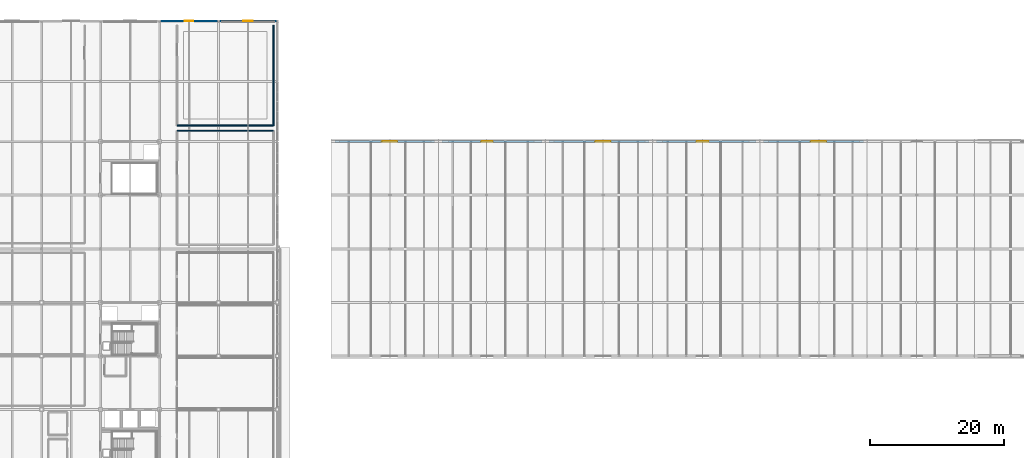
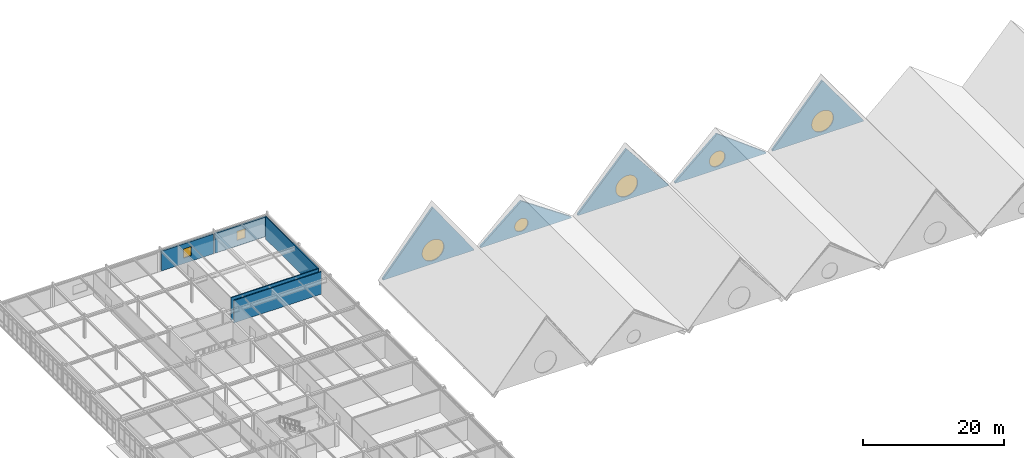
# One storey, part 57 of 64: 10 walls, 7 windows, 7 openings.
"""IFC4 building model written with IfcOpenShell, lengths in metres."""

from ifc_helpers import new_model, si_unit, direction, frame, frame_2d, origin, place, context, subcontext, project, spatial, polyline, rectangle, outline, extrude, material, layer, layer_set, type_object, element, fill, save


model = new_model("IFC4")

# Units and contexts
model_context = context("Model", 3, precision=1e-05, world=origin(), true_north=direction((0.0, 1.0)))
body_context = subcontext(model_context, "Body", "Model", "MODEL_VIEW")
ifc_project = project(units=[si_unit("LENGTHUNIT", "METRE"), si_unit("AREAUNIT", "SQUARE_METRE"), si_unit("VOLUMEUNIT", "CUBIC_METRE"), si_unit("PLANEANGLEUNIT", "RADIAN"), si_unit("MASSUNIT", "GRAM", prefix="KILO")], contexts=[model_context])

# Site, building, storey
site_placement = place(None, origin())
site = spatial("IfcSite", under=ifc_project, at=site_placement, CompositionType="ELEMENT")
building_placement = place(site_placement, origin())
building = spatial("IfcBuilding", under=site, at=building_placement, Name="Zhaolan Boulevard Law Courts", CompositionType="ELEMENT")
storey_placement = place(building_placement, frame((0.0, 0.0, 20.39990234375)))
storey = spatial("IfcBuildingStorey", under=building, at=storey_placement, Name="L04", CompositionType="ELEMENT", Elevation=20.39990234375)

# Wall, opening, window
ifc_material_1 = material(Name="Concrete C40", Category="concrete")
ifc_layer_1 = layer(ifc_material_1, 0.280029296875)
ifc_layer_set_1 = layer_set([ifc_layer_1])
wall_type_1 = type_object("IfcWallType", Name="EXT WALL CONCRETE280", PredefinedType="SOLIDWALL", material=ifc_layer_set_1)
wall_1_placement = place(storey_placement, frame((35.053955078125, 112.0, 0.0), z_axis=(0.0, 0.0, 1.0), x_axis=(-1.0, 0.0, 0.0)))
wall_1 = element("IfcWall", 1, at=wall_1_placement, inside=storey, type_object=wall_type_1, Name="Exterior Wall EW-L04-363", PredefinedType="SOLIDWALL", context=body_context, shape_type="SweptSolid", body=[
    extrude(rectangle(XDim=8.508056640625, YDim=0.280029296875, at=frame_2d((4.25390625, 0.0))), origin(), (0.0, 0.0, 1.0), 3.423095703125),
])
opening_1_placement = place(wall_1_placement, frame((3.62890625, 0.0, 0.949951171875)))
opening_1 = element("IfcOpeningElement", 2, at=opening_1_placement, cuts=wall_1, Name="Opening WIN-L04-216", PredefinedType="OPENING", context=body_context, shape_type="SweptSolid", body=[
    extrude(rectangle(XDim=1.25, YDim=1.60009765625, at=frame_2d((0.625, 0.800048828125))), frame((0.0, 0.14990234375, 0.0), z_axis=(0.0, -1.0, 0.0), x_axis=(1.0, 0.0, 0.0)), (0.0, 0.0, 1.0), 0.300048828125),
])
ifc_material_2 = material(Name="Thermally broken aluminium and low-E glazing", Category="aluminium")
window_type_1 = type_object("IfcWindowType", Name="WINDOW 1250X1600", PartitioningType="SINGLE_PANEL", PredefinedType="WINDOW", material=ifc_material_2)
window_1_placement = place(opening_1_placement, origin())
window_1 = element("IfcWindow", 3, at=window_1_placement, inside=storey, type_object=window_type_1, Name="Exterior Window WIN-L04-216", OverallHeight=1.60009765625, OverallWidth=1.25, PartitioningType="SINGLE_PANEL", PredefinedType="WINDOW", context=body_context, shape_type="SweptSolid", body=[
    extrude(rectangle(XDim=1.25, YDim=1.60009765625, at=frame_2d((0.625, 0.800048828125))), frame((0.0, 0.030029296875, 0.0), z_axis=(0.0, -1.0, 0.0), x_axis=(1.0, 0.0, 0.0)), (0.0, 0.0, 1.0), 0.06005859375),
])
fill(opening_1, window_1)

wall_2_placement = place(storey_placement, frame((43.85400390625, 112.0, 0.0), z_axis=(0.0, 0.0, 1.0), x_axis=(-1.0, 0.0, 0.0)))
wall_2 = element("IfcWall", 4, at=wall_2_placement, inside=storey, type_object=wall_type_1, Name="Exterior Wall EW-L04-364", PredefinedType="SOLIDWALL", context=body_context, shape_type="SweptSolid", body=[
    extrude(rectangle(XDim=8.508056640625, YDim=0.280029296875, at=frame_2d((4.25390625, 0.0))), origin(), (0.0, 0.0, 1.0), 3.423095703125),
])
opening_2_placement = place(wall_2_placement, frame((3.553955078125, 0.0, 0.949951171875)))
opening_2 = element("IfcOpeningElement", 5, at=opening_2_placement, cuts=wall_2, Name="Opening WIN-L04-217", PredefinedType="OPENING", context=body_context, shape_type="SweptSolid", body=[
    extrude(rectangle(XDim=1.39990234375, YDim=1.60009765625, at=frame_2d((0.699951171875, 0.800048828125))), frame((0.0, 0.14990234375, 0.0), z_axis=(0.0, -1.0, 0.0), x_axis=(1.0, 0.0, 0.0)), (0.0, 0.0, 1.0), 0.300048828125),
])
ifc_material_3 = material(Name="Thermally broken aluminium and low-E glazing", Category="aluminium")
window_type_2 = type_object("IfcWindowType", Name="WINDOW 1400X1600", PartitioningType="SINGLE_PANEL", PredefinedType="WINDOW", material=ifc_material_3)
window_2_placement = place(opening_2_placement, origin())
window_2 = element("IfcWindow", 6, at=window_2_placement, inside=storey, type_object=window_type_2, Name="Exterior Window WIN-L04-217", OverallHeight=1.60009765625, OverallWidth=1.39990234375, PartitioningType="SINGLE_PANEL", PredefinedType="WINDOW", context=body_context, shape_type="SweptSolid", body=[
    extrude(rectangle(XDim=1.39990234375, YDim=1.60009765625, at=frame_2d((0.699951171875, 0.800048828125))), frame((0.0, 0.030029296875, 0.0), z_axis=(0.0, -1.0, 0.0), x_axis=(1.0, 0.0, 0.0)), (0.0, 0.0, 1.0), 0.06005859375),
])
fill(opening_2, window_2)

ifc_material_4 = material(Name="Concrete C40", Category="concrete")
ifc_layer_2 = layer(ifc_material_4, 0.340087890625)
ifc_layer_set_2 = layer_set([ifc_layer_2])
wall_type_2 = type_object("IfcWallType", Name="EXT WALL GABLE340", PredefinedType="SOLIDWALL", material=ifc_layer_set_2)
wall_3_placement = place(storey_placement, frame((67.449951171875, 94.0, 0.22021484375), z_axis=(0.0, 0.0, 1.0), x_axis=(-1.0, 0.0, 0.0)))
wall_3 = element("IfcWall", 7, at=wall_3_placement, inside=storey, type_object=wall_type_2, Name="Sculpted Concrete Gable Wall GW-T1N", PredefinedType="SOLIDWALL", context=body_context, shape_type="SweptSolid", body=[
    extrude(outline(polyline([(0.0, 0.0), (14.89990234375, 0.0), (14.89990234375, 0.199951171875), (6.705078125, 9.7998046875), (0.0, 0.199951171875), (0.0, 0.0)])), frame((0.0, 0.169921875, 0.0), z_axis=(0.0, -1.0, 0.0), x_axis=(1.0, 0.0, 0.0)), (0.0, 0.0, 1.0), 0.340087890625),
])
opening_3_placement = place(wall_3_placement, frame((4.905029296875, 0.0, 0.550048828125)))
opening_3 = element("IfcOpeningElement", 8, at=opening_3_placement, cuts=wall_3, Name="Opening OC-T1N", PredefinedType="OPENING", context=body_context, shape_type="SweptSolid", body=[
    extrude(outline(polyline([(3.60009765625, 1.800048828125), (3.57275390625, 2.112548828125), (3.491455078125, 2.41552734375), (3.35888671875, 2.699951171875), (3.178955078125, 2.95703125), (2.95703125, 3.178955078125), (2.699951171875, 3.35888671875), (2.41552734375, 3.491455078125), (2.112548828125, 3.57275390625), (1.800048828125, 3.60009765625), (1.487548828125, 3.57275390625), (1.184326171875, 3.491455078125), (0.89990234375, 3.35888671875), (0.64306640625, 3.178955078125), (0.421142578125, 2.95703125), (0.2412109375, 2.699951171875), (0.108642578125, 2.41552734375), (0.02734375, 2.112548828125), (0.0, 1.800048828125), (0.02734375, 1.487548828125), (0.108642578125, 1.184326171875), (0.2412109375, 0.89990234375), (0.421142578125, 0.64306640625), (0.64306640625, 0.421142578125), (0.89990234375, 0.2412109375), (1.184326171875, 0.108642578125), (1.487548828125, 0.02734375), (1.800048828125, 0.0), (2.112548828125, 0.02734375), (2.41552734375, 0.108642578125), (2.699951171875, 0.2412109375), (2.95703125, 0.421142578125), (3.178955078125, 0.64306640625), (3.35888671875, 0.89990234375), (3.491455078125, 1.184326171875), (3.57275390625, 1.487548828125), (3.60009765625, 1.800048828125)])), frame((0.0, 0.179931640625, 0.0), z_axis=(0.0, -1.0, 0.0), x_axis=(1.0, 0.0, 0.0)), (0.0, 0.0, 1.0), 0.360107421875),
])
ifc_material_5 = material(Name="Thermally broken aluminium and laminated low-E glass", Category="aluminium")
window_type_3 = type_object("IfcWindowType", Name="OCULUS WINDOW D3600", PartitioningType="SINGLE_PANEL", PredefinedType="WINDOW", material=ifc_material_5)
window_3_placement = place(opening_3_placement, origin())
window_3 = element("IfcWindow", 9, at=window_3_placement, inside=storey, type_object=window_type_3, Name="Circular Gable Oculus Window OC-T1N", OverallHeight=3.60009765625, OverallWidth=3.60009765625, PartitioningType="SINGLE_PANEL", PredefinedType="WINDOW", context=body_context, shape_type="SweptSolid", body=[
    extrude(outline(polyline([(3.60009765625, 1.800048828125), (3.57275390625, 2.112548828125), (3.491455078125, 2.41552734375), (3.35888671875, 2.699951171875), (3.178955078125, 2.95703125), (2.95703125, 3.178955078125), (2.699951171875, 3.35888671875), (2.41552734375, 3.491455078125), (2.112548828125, 3.57275390625), (1.800048828125, 3.60009765625), (1.487548828125, 3.57275390625), (1.184326171875, 3.491455078125), (0.89990234375, 3.35888671875), (0.64306640625, 3.178955078125), (0.421142578125, 2.95703125), (0.2412109375, 2.699951171875), (0.108642578125, 2.41552734375), (0.02734375, 2.112548828125), (0.0, 1.800048828125), (0.02734375, 1.487548828125), (0.108642578125, 1.184326171875), (0.2412109375, 0.89990234375), (0.421142578125, 0.64306640625), (0.64306640625, 0.421142578125), (0.89990234375, 0.2412109375), (1.184326171875, 0.108642578125), (1.487548828125, 0.02734375), (1.800048828125, 0.0), (2.112548828125, 0.02734375), (2.41552734375, 0.108642578125), (2.699951171875, 0.2412109375), (2.95703125, 0.421142578125), (3.178955078125, 0.64306640625), (3.35888671875, 0.89990234375), (3.491455078125, 1.184326171875), (3.57275390625, 1.487548828125), (3.60009765625, 1.800048828125)])), frame((0.0, 0.0400390625, 0.0), z_axis=(0.0, -1.0, 0.0), x_axis=(1.0, 0.0, 0.0)), (0.0, 0.0, 1.0), 0.080078125),
])
fill(opening_3, window_3)

wall_4_placement = place(storey_placement, frame((83.449951171875, 94.0, 0.22021484375), z_axis=(0.0, 0.0, 1.0), x_axis=(-1.0, 0.0, 0.0)))
wall_4 = element("IfcWall", 10, at=wall_4_placement, inside=storey, type_object=wall_type_2, Name="Sculpted Concrete Gable Wall GW-T2N", PredefinedType="SOLIDWALL", context=body_context, shape_type="SweptSolid", body=[
    extrude(outline(polyline([(0.0, 0.0), (14.89990234375, 0.0), (14.89990234375, 0.199951171875), (8.195068359375, 5.7998046875), (0.0, 0.199951171875), (0.0, 0.0)])), frame((0.0, 0.169921875, 0.0), z_axis=(0.0, -1.0, 0.0), x_axis=(1.0, 0.0, 0.0)), (0.0, 0.0, 1.0), 0.340087890625),
])
opening_4_placement = place(wall_4_placement, frame((7.094970703125, 0.0, 0.550048828125)))
opening_4 = element("IfcOpeningElement", 11, at=opening_4_placement, cuts=wall_4, Name="Opening OC-T2N", PredefinedType="OPENING", context=body_context, shape_type="SweptSolid", body=[
    extrude(outline(polyline([(2.199951171875, 1.10009765625), (2.183349609375, 1.291015625), (2.133544921875, 1.476318359375), (2.052734375, 1.64990234375), (1.942626953125, 1.80712890625), (1.80712890625, 1.942626953125), (1.64990234375, 2.052734375), (1.476318359375, 2.133544921875), (1.291015625, 2.183349609375), (1.10009765625, 2.199951171875), (0.908935546875, 2.183349609375), (0.723876953125, 2.133544921875), (0.550048828125, 2.052734375), (0.392822265625, 1.942626953125), (0.25732421875, 1.80712890625), (0.1474609375, 1.64990234375), (0.06640625, 1.476318359375), (0.0166015625, 1.291015625), (0.0, 1.10009765625), (0.0166015625, 0.908935546875), (0.06640625, 0.723876953125), (0.1474609375, 0.550048828125), (0.25732421875, 0.392822265625), (0.392822265625, 0.25732421875), (0.550048828125, 0.1474609375), (0.723876953125, 0.06640625), (0.908935546875, 0.0166015625), (1.10009765625, 0.0), (1.291015625, 0.0166015625), (1.476318359375, 0.06640625), (1.64990234375, 0.1474609375), (1.80712890625, 0.25732421875), (1.942626953125, 0.392822265625), (2.052734375, 0.550048828125), (2.133544921875, 0.723876953125), (2.183349609375, 0.908935546875), (2.199951171875, 1.10009765625)])), frame((0.0, 0.179931640625, 0.0), z_axis=(0.0, -1.0, 0.0), x_axis=(1.0, 0.0, 0.0)), (0.0, 0.0, 1.0), 0.360107421875),
])
ifc_material_6 = material(Name="Thermally broken aluminium and laminated low-E glass", Category="aluminium")
window_type_4 = type_object("IfcWindowType", Name="OCULUS WINDOW D2200", PartitioningType="SINGLE_PANEL", PredefinedType="WINDOW", material=ifc_material_6)
window_4_placement = place(opening_4_placement, origin())
window_4 = element("IfcWindow", 12, at=window_4_placement, inside=storey, type_object=window_type_4, Name="Circular Gable Oculus Window OC-T2N", OverallHeight=2.199951171875, OverallWidth=2.199951171875, PartitioningType="SINGLE_PANEL", PredefinedType="WINDOW", context=body_context, shape_type="SweptSolid", body=[
    extrude(outline(polyline([(2.199951171875, 1.10009765625), (2.183349609375, 1.291015625), (2.133544921875, 1.476318359375), (2.052734375, 1.64990234375), (1.942626953125, 1.80712890625), (1.80712890625, 1.942626953125), (1.64990234375, 2.052734375), (1.476318359375, 2.133544921875), (1.291015625, 2.183349609375), (1.10009765625, 2.199951171875), (0.908935546875, 2.183349609375), (0.723876953125, 2.133544921875), (0.550048828125, 2.052734375), (0.392822265625, 1.942626953125), (0.25732421875, 1.80712890625), (0.1474609375, 1.64990234375), (0.06640625, 1.476318359375), (0.0166015625, 1.291015625), (0.0, 1.10009765625), (0.0166015625, 0.908935546875), (0.06640625, 0.723876953125), (0.1474609375, 0.550048828125), (0.25732421875, 0.392822265625), (0.392822265625, 0.25732421875), (0.550048828125, 0.1474609375), (0.723876953125, 0.06640625), (0.908935546875, 0.0166015625), (1.10009765625, 0.0), (1.291015625, 0.0166015625), (1.476318359375, 0.06640625), (1.64990234375, 0.1474609375), (1.80712890625, 0.25732421875), (1.942626953125, 0.392822265625), (2.052734375, 0.550048828125), (2.133544921875, 0.723876953125), (2.183349609375, 0.908935546875), (2.199951171875, 1.10009765625)])), frame((0.0, 0.0400390625, 0.0), z_axis=(0.0, -1.0, 0.0), x_axis=(1.0, 0.0, 0.0)), (0.0, 0.0, 1.0), 0.080078125),
])
fill(opening_4, window_4)

wall_5_placement = place(storey_placement, frame((99.449951171875, 94.0, 0.22021484375), z_axis=(0.0, 0.0, 1.0), x_axis=(-1.0, 0.0, 0.0)))
wall_5 = element("IfcWall", 13, at=wall_5_placement, inside=storey, type_object=wall_type_2, Name="Sculpted Concrete Gable Wall GW-T3N", PredefinedType="SOLIDWALL", context=body_context, shape_type="SweptSolid", body=[
    extrude(outline(polyline([(0.0, 0.0), (14.89990234375, 0.0), (14.89990234375, 0.199951171875), (6.89111328125, 8.7998046875), (0.0, 0.199951171875), (0.0, 0.0)])), frame((0.0, 0.169921875, 0.0), z_axis=(0.0, -1.0, 0.0), x_axis=(1.0, 0.0, 0.0)), (0.0, 0.0, 1.0), 0.340087890625),
])
opening_5_placement = place(wall_5_placement, frame((5.091064453125, 0.0, 0.550048828125)))
opening_5 = element("IfcOpeningElement", 14, at=opening_5_placement, cuts=wall_5, Name="Opening OC-T3N", PredefinedType="OPENING", context=body_context, shape_type="SweptSolid", body=[
    extrude(outline(polyline([(3.60009765625, 1.800048828125), (3.57275390625, 2.112548828125), (3.491455078125, 2.41552734375), (3.35888671875, 2.699951171875), (3.178955078125, 2.95703125), (2.95703125, 3.178955078125), (2.699951171875, 3.35888671875), (2.41552734375, 3.491455078125), (2.112548828125, 3.57275390625), (1.800048828125, 3.60009765625), (1.487548828125, 3.57275390625), (1.184326171875, 3.491455078125), (0.89990234375, 3.35888671875), (0.64306640625, 3.178955078125), (0.421142578125, 2.95703125), (0.2412109375, 2.699951171875), (0.108642578125, 2.41552734375), (0.02734375, 2.112548828125), (0.0, 1.800048828125), (0.02734375, 1.487548828125), (0.108642578125, 1.184326171875), (0.2412109375, 0.89990234375), (0.421142578125, 0.64306640625), (0.64306640625, 0.421142578125), (0.89990234375, 0.2412109375), (1.184326171875, 0.108642578125), (1.487548828125, 0.02734375), (1.800048828125, 0.0), (2.112548828125, 0.02734375), (2.41552734375, 0.108642578125), (2.699951171875, 0.2412109375), (2.95703125, 0.421142578125), (3.178955078125, 0.64306640625), (3.35888671875, 0.89990234375), (3.491455078125, 1.184326171875), (3.57275390625, 1.487548828125), (3.60009765625, 1.800048828125)])), frame((0.0, 0.179931640625, 0.0), z_axis=(0.0, -1.0, 0.0), x_axis=(1.0, 0.0, 0.0)), (0.0, 0.0, 1.0), 0.360107421875),
])
window_5_placement = place(opening_5_placement, origin())
window_5 = element("IfcWindow", 15, at=window_5_placement, inside=storey, type_object=window_type_3, Name="Circular Gable Oculus Window OC-T3N", OverallHeight=3.60009765625, OverallWidth=3.60009765625, PartitioningType="SINGLE_PANEL", PredefinedType="WINDOW", context=body_context, shape_type="SweptSolid", body=[
    extrude(outline(polyline([(3.60009765625, 1.800048828125), (3.57275390625, 2.112548828125), (3.491455078125, 2.41552734375), (3.35888671875, 2.699951171875), (3.178955078125, 2.95703125), (2.95703125, 3.178955078125), (2.699951171875, 3.35888671875), (2.41552734375, 3.491455078125), (2.112548828125, 3.57275390625), (1.800048828125, 3.60009765625), (1.487548828125, 3.57275390625), (1.184326171875, 3.491455078125), (0.89990234375, 3.35888671875), (0.64306640625, 3.178955078125), (0.421142578125, 2.95703125), (0.2412109375, 2.699951171875), (0.108642578125, 2.41552734375), (0.02734375, 2.112548828125), (0.0, 1.800048828125), (0.02734375, 1.487548828125), (0.108642578125, 1.184326171875), (0.2412109375, 0.89990234375), (0.421142578125, 0.64306640625), (0.64306640625, 0.421142578125), (0.89990234375, 0.2412109375), (1.184326171875, 0.108642578125), (1.487548828125, 0.02734375), (1.800048828125, 0.0), (2.112548828125, 0.02734375), (2.41552734375, 0.108642578125), (2.699951171875, 0.2412109375), (2.95703125, 0.421142578125), (3.178955078125, 0.64306640625), (3.35888671875, 0.89990234375), (3.491455078125, 1.184326171875), (3.57275390625, 1.487548828125), (3.60009765625, 1.800048828125)])), frame((0.0, 0.0400390625, 0.0), z_axis=(0.0, -1.0, 0.0), x_axis=(1.0, 0.0, 0.0)), (0.0, 0.0, 1.0), 0.080078125),
])
fill(opening_5, window_5)

wall_6_placement = place(storey_placement, frame((115.449951171875, 94.0, 0.22021484375), z_axis=(0.0, 0.0, 1.0), x_axis=(-1.0, 0.0, 0.0)))
wall_6 = element("IfcWall", 16, at=wall_6_placement, inside=storey, type_object=wall_type_2, Name="Sculpted Concrete Gable Wall GW-T4N", PredefinedType="SOLIDWALL", context=body_context, shape_type="SweptSolid", body=[
    extrude(outline(polyline([(0.0, 0.0), (14.89990234375, 0.0), (14.89990234375, 0.199951171875), (8.009033203125, 6.199951171875), (0.0, 0.199951171875), (0.0, 0.0)])), frame((0.0, 0.169921875, 0.0), z_axis=(0.0, -1.0, 0.0), x_axis=(1.0, 0.0, 0.0)), (0.0, 0.0, 1.0), 0.340087890625),
])
opening_6_placement = place(wall_6_placement, frame((6.708984375, 0.0, 0.550048828125)))
opening_6 = element("IfcOpeningElement", 17, at=opening_6_placement, cuts=wall_6, Name="Opening OC-T4N", PredefinedType="OPENING", context=body_context, shape_type="SweptSolid", body=[
    extrude(outline(polyline([(2.60009765625, 1.300048828125), (2.580322265625, 1.525634765625), (2.521484375, 1.74462890625), (2.42578125, 1.949951171875), (2.2958984375, 2.1357421875), (2.1357421875, 2.2958984375), (1.949951171875, 2.42578125), (1.74462890625, 2.521484375), (1.525634765625, 2.580322265625), (1.300048828125, 2.60009765625), (1.07421875, 2.580322265625), (0.85546875, 2.521484375), (0.64990234375, 2.42578125), (0.46435546875, 2.2958984375), (0.30419921875, 2.1357421875), (0.174072265625, 1.949951171875), (0.078369140625, 1.74462890625), (0.019775390625, 1.525634765625), (0.0, 1.300048828125), (0.019775390625, 1.07421875), (0.078369140625, 0.85546875), (0.174072265625, 0.64990234375), (0.30419921875, 0.46435546875), (0.46435546875, 0.30419921875), (0.64990234375, 0.174072265625), (0.85546875, 0.078369140625), (1.07421875, 0.019775390625), (1.300048828125, 0.0), (1.525634765625, 0.019775390625), (1.74462890625, 0.078369140625), (1.949951171875, 0.174072265625), (2.1357421875, 0.30419921875), (2.2958984375, 0.46435546875), (2.42578125, 0.64990234375), (2.521484375, 0.85546875), (2.580322265625, 1.07421875), (2.60009765625, 1.300048828125)])), frame((0.0, 0.179931640625, 0.0), z_axis=(0.0, -1.0, 0.0), x_axis=(1.0, 0.0, 0.0)), (0.0, 0.0, 1.0), 0.360107421875),
])
ifc_material_7 = material(Name="Thermally broken aluminium and laminated low-E glass", Category="aluminium")
window_type_5 = type_object("IfcWindowType", Name="OCULUS WINDOW D2600", PartitioningType="SINGLE_PANEL", PredefinedType="WINDOW", material=ifc_material_7)
window_6_placement = place(opening_6_placement, origin())
window_6 = element("IfcWindow", 18, at=window_6_placement, inside=storey, type_object=window_type_5, Name="Circular Gable Oculus Window OC-T4N", OverallHeight=2.60009765625, OverallWidth=2.60009765625, PartitioningType="SINGLE_PANEL", PredefinedType="WINDOW", context=body_context, shape_type="SweptSolid", body=[
    extrude(outline(polyline([(2.60009765625, 1.300048828125), (2.580322265625, 1.525634765625), (2.521484375, 1.74462890625), (2.42578125, 1.949951171875), (2.2958984375, 2.1357421875), (2.1357421875, 2.2958984375), (1.949951171875, 2.42578125), (1.74462890625, 2.521484375), (1.525634765625, 2.580322265625), (1.300048828125, 2.60009765625), (1.07421875, 2.580322265625), (0.85546875, 2.521484375), (0.64990234375, 2.42578125), (0.46435546875, 2.2958984375), (0.30419921875, 2.1357421875), (0.174072265625, 1.949951171875), (0.078369140625, 1.74462890625), (0.019775390625, 1.525634765625), (0.0, 1.300048828125), (0.019775390625, 1.07421875), (0.078369140625, 0.85546875), (0.174072265625, 0.64990234375), (0.30419921875, 0.46435546875), (0.46435546875, 0.30419921875), (0.64990234375, 0.174072265625), (0.85546875, 0.078369140625), (1.07421875, 0.019775390625), (1.300048828125, 0.0), (1.525634765625, 0.019775390625), (1.74462890625, 0.078369140625), (1.949951171875, 0.174072265625), (2.1357421875, 0.30419921875), (2.2958984375, 0.46435546875), (2.42578125, 0.64990234375), (2.521484375, 0.85546875), (2.580322265625, 1.07421875), (2.60009765625, 1.300048828125)])), frame((0.0, 0.0400390625, 0.0), z_axis=(0.0, -1.0, 0.0), x_axis=(1.0, 0.0, 0.0)), (0.0, 0.0, 1.0), 0.080078125),
])
fill(opening_6, window_6)

wall_7_placement = place(storey_placement, frame((131.449951171875, 94.0, 0.22021484375), z_axis=(0.0, 0.0, 1.0), x_axis=(-1.0, 0.0, 0.0)))
wall_7 = element("IfcWall", 19, at=wall_7_placement, inside=storey, type_object=wall_type_2, Name="Sculpted Concrete Gable Wall GW-T5N", PredefinedType="SOLIDWALL", context=body_context, shape_type="SweptSolid", body=[
    extrude(outline(polyline([(0.0, 0.0), (14.89990234375, 0.0), (14.89990234375, 0.199951171875), (6.705078125, 9.39990234375), (0.0, 0.199951171875), (0.0, 0.0)])), frame((0.0, 0.169921875, 0.0), z_axis=(0.0, -1.0, 0.0), x_axis=(1.0, 0.0, 0.0)), (0.0, 0.0, 1.0), 0.340087890625),
])
opening_7_placement = place(wall_7_placement, frame((4.905029296875, 0.0, 0.550048828125)))
opening_7 = element("IfcOpeningElement", 20, at=opening_7_placement, cuts=wall_7, Name="Opening OC-T5N", PredefinedType="OPENING", context=body_context, shape_type="SweptSolid", body=[
    extrude(outline(polyline([(3.60009765625, 1.800048828125), (3.57275390625, 2.112548828125), (3.491455078125, 2.41552734375), (3.35888671875, 2.699951171875), (3.178955078125, 2.95703125), (2.95703125, 3.178955078125), (2.699951171875, 3.35888671875), (2.41552734375, 3.491455078125), (2.112548828125, 3.57275390625), (1.800048828125, 3.60009765625), (1.487548828125, 3.57275390625), (1.184326171875, 3.491455078125), (0.89990234375, 3.35888671875), (0.64306640625, 3.178955078125), (0.421142578125, 2.95703125), (0.2412109375, 2.699951171875), (0.108642578125, 2.41552734375), (0.02734375, 2.112548828125), (0.0, 1.800048828125), (0.02734375, 1.487548828125), (0.108642578125, 1.184326171875), (0.2412109375, 0.89990234375), (0.421142578125, 0.64306640625), (0.64306640625, 0.421142578125), (0.89990234375, 0.2412109375), (1.184326171875, 0.108642578125), (1.487548828125, 0.02734375), (1.800048828125, 0.0), (2.112548828125, 0.02734375), (2.41552734375, 0.108642578125), (2.699951171875, 0.2412109375), (2.95703125, 0.421142578125), (3.178955078125, 0.64306640625), (3.35888671875, 0.89990234375), (3.491455078125, 1.184326171875), (3.57275390625, 1.487548828125), (3.60009765625, 1.800048828125)])), frame((0.0, 0.179931640625, 0.0), z_axis=(0.0, -1.0, 0.0), x_axis=(1.0, 0.0, 0.0)), (0.0, 0.0, 1.0), 0.360107421875),
])
window_7_placement = place(opening_7_placement, origin())
window_7 = element("IfcWindow", 21, at=window_7_placement, inside=storey, type_object=window_type_3, Name="Circular Gable Oculus Window OC-T5N", OverallHeight=3.60009765625, OverallWidth=3.60009765625, PartitioningType="SINGLE_PANEL", PredefinedType="WINDOW", context=body_context, shape_type="SweptSolid", body=[
    extrude(outline(polyline([(3.60009765625, 1.800048828125), (3.57275390625, 2.112548828125), (3.491455078125, 2.41552734375), (3.35888671875, 2.699951171875), (3.178955078125, 2.95703125), (2.95703125, 3.178955078125), (2.699951171875, 3.35888671875), (2.41552734375, 3.491455078125), (2.112548828125, 3.57275390625), (1.800048828125, 3.60009765625), (1.487548828125, 3.57275390625), (1.184326171875, 3.491455078125), (0.89990234375, 3.35888671875), (0.64306640625, 3.178955078125), (0.421142578125, 2.95703125), (0.2412109375, 2.699951171875), (0.108642578125, 2.41552734375), (0.02734375, 2.112548828125), (0.0, 1.800048828125), (0.02734375, 1.487548828125), (0.108642578125, 1.184326171875), (0.2412109375, 0.89990234375), (0.421142578125, 0.64306640625), (0.64306640625, 0.421142578125), (0.89990234375, 0.2412109375), (1.184326171875, 0.108642578125), (1.487548828125, 0.02734375), (1.800048828125, 0.0), (2.112548828125, 0.02734375), (2.41552734375, 0.108642578125), (2.699951171875, 0.2412109375), (2.95703125, 0.421142578125), (3.178955078125, 0.64306640625), (3.35888671875, 0.89990234375), (3.491455078125, 1.184326171875), (3.57275390625, 1.487548828125), (3.60009765625, 1.800048828125)])), frame((0.0, 0.0400390625, 0.0), z_axis=(0.0, -1.0, 0.0), x_axis=(1.0, 0.0, 0.0)), (0.0, 0.0, 1.0), 0.080078125),
])
fill(opening_7, window_7)

# Walls
ifc_material_8 = material(Name="Fire-rated gypsum stud partition")
ifc_layer_3 = layer(ifc_material_8, 0.159912109375)
ifc_layer_set_3 = layer_set([ifc_layer_3])
wall_type_3 = type_object("IfcWallType", Name="PART WALL CHAMB160", PredefinedType="PARTITIONING", material=ifc_layer_set_3)
for number, where, z_axis, x_axis, name in (
    (22, (43.39990234375, 95.60009765625, 0.0), (0.0, 0.0, 1.0), (-1.0, 0.0, 0.0), "Interior Partition PW-L04-584"),
    (23, (29.0, 96.39990234375, 0.0), (0.0, 0.0, 1.0), (1.0, 0.0, 0.0), "Interior Partition PW-L04-587"),
):
    element("IfcWall", number, at=place(storey_placement, frame(where, z_axis=z_axis, x_axis=x_axis)), inside=storey, type_object=wall_type_3, Name=name, PredefinedType="PARTITIONING", context=body_context, shape_type="SweptSolid", body=[
        extrude(rectangle(XDim=14.39990234375, YDim=0.159912109375, at=frame_2d((7.199951171875, 0.0))), origin(), (0.0, 0.0, 1.0), 3.920166015625),
    ])
wall_8_placement = place(storey_placement, frame((43.39990234375, 96.39990234375, 0.0), z_axis=(0.0, 0.0, 1.0), x_axis=(0.0, 1.0, 0.0)))
element("IfcWall", 24, at=wall_8_placement, inside=storey, type_object=wall_type_3, Name="Interior Partition PW-L04-589", PredefinedType="PARTITIONING", context=body_context, shape_type="SweptSolid", body=[
    extrude(rectangle(XDim=15.0, YDim=0.159912109375, at=frame_2d((7.5, 0.0))), origin(), (0.0, 0.0, 1.0), 3.920166015625),
])

save(model, "model.ifc")
